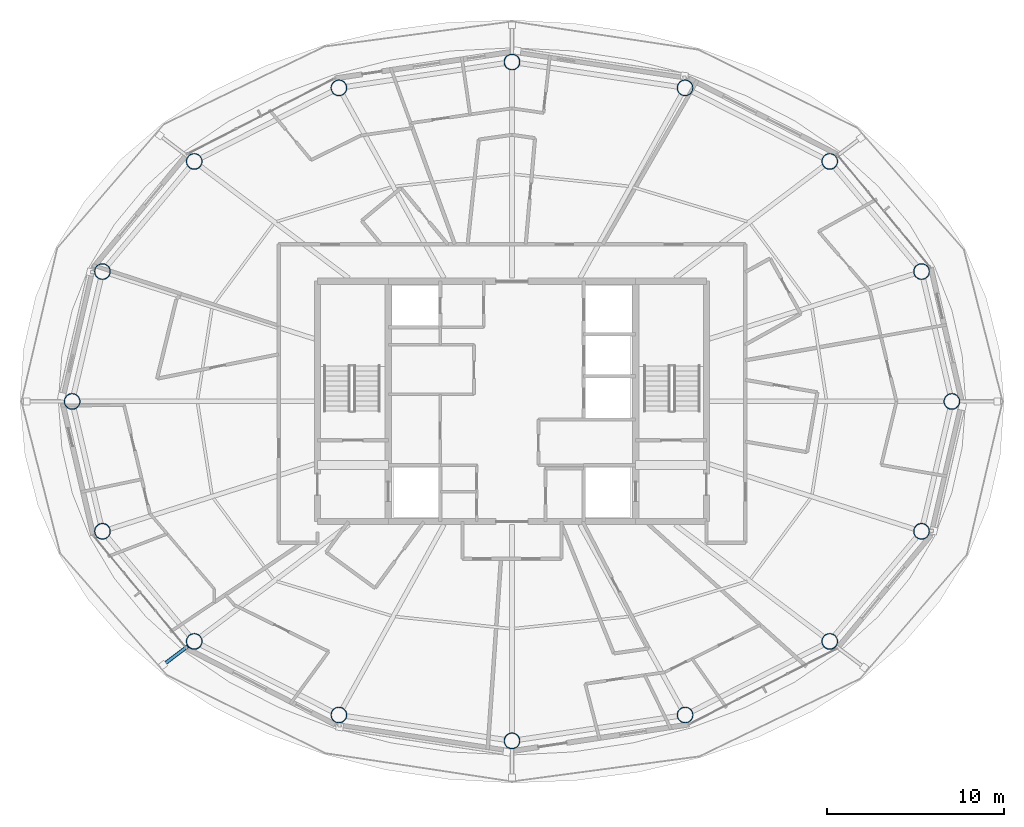
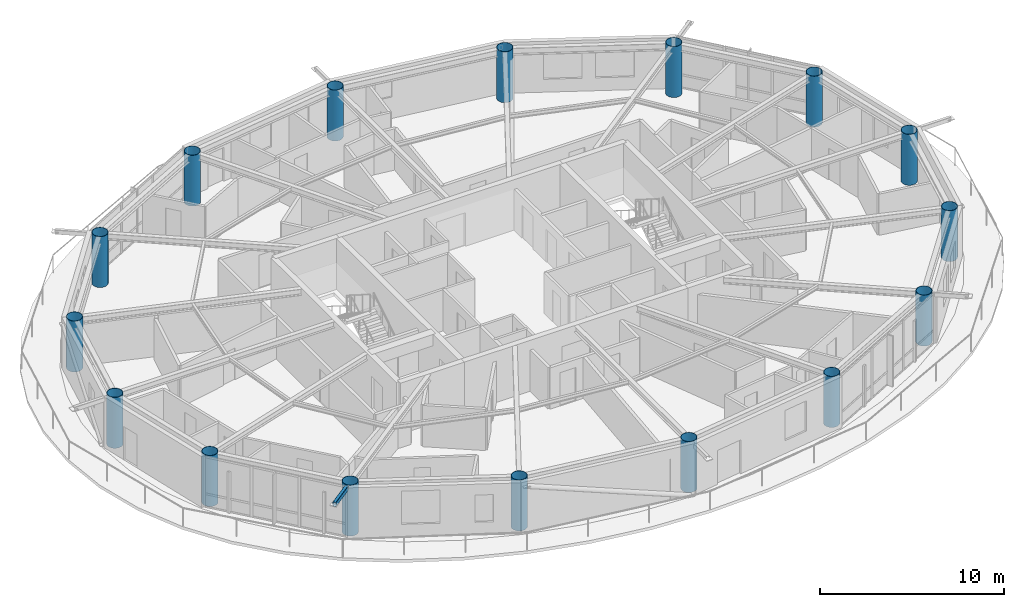
# One storey, part 1 of 22: 16 columns, 1 member.
"""IFC4 building model written with IfcOpenShell, lengths in metres."""

import ifcopenshell
import ifcopenshell.guid

model = None  # the IFC model being written
_history = None  # IfcOwnerHistory: only IFC2X3 demands one
_inside = {}  # id of a spatial element -> (the spatial element, [elements in it])
_under = {}  # id of a project, library or spatial element -> (it, [spatial elements below it])
_declared = {}  # id of a project -> (the project, [libraries it declares])
_typed = {}  # id of a type object -> (the type object, [elements of that type])
_made_of = {}  # id of a material, layer set ... -> (it, [elements and type objects made of it])


def new_model(schema):
    """Start an empty IFC model of exactly this schema.

    Asked for "IFC4X3", IfcOpenShell would pick the latest addendum, in which some entities
    have other attributes; the version numbers below select the first issue.
    IFC2X3 requires an IfcOwnerHistory on every rooted entity: one is made here for all.
    """
    global model, _history
    if schema == "IFC4X3":
        model = ifcopenshell.file(schema_version=(4, 3, 0, 0))
    else:
        model = ifcopenshell.file(schema=schema)
    _inside.clear()
    _under.clear()
    _declared.clear()
    _typed.clear()
    _made_of.clear()
    _history = None
    if model.schema == "IFC2X3":
        org = make("IfcOrganization", Name="unknown")
        user = make(
            "IfcPersonAndOrganization",
            ThePerson=make("IfcPerson", FamilyName="unknown"),
            TheOrganization=org,
        )
        app = make(
            "IfcApplication",
            ApplicationDeveloper=org,
            Version="unknown",
            ApplicationFullName="unknown",
            ApplicationIdentifier="unknown",
        )
        _history = make(
            "IfcOwnerHistory",
            OwningUser=user,
            OwningApplication=app,
            ChangeAction="ADDED",
            CreationDate=0,
        )
    return model


def make(cls, **values):
    """One entity of the class cls with the attributes given. An attribute that is None is left unset."""
    return model.create_entity(
        cls, **{name: value for name, value in values.items() if value is not None}
    )


def rooted(cls, **values):
    """An entity with a GlobalId (a new one), such as an element, a storey or a relation."""
    return make(cls, GlobalId=ifcopenshell.guid.new(), OwnerHistory=_history, **values)


def si_unit(unit_type, name, prefix=None):
    """IfcSIUnit, for example si_unit("LENGTHUNIT", "METRE", prefix="MILLI")."""
    return make("IfcSIUnit", UnitType=unit_type, Prefix=prefix, Name=name)


def assignment(units):
    """IfcUnitAssignment: the units of a project."""
    return None if units is None else make("IfcUnitAssignment", Units=units)


def point(xyz):
    """IfcCartesianPoint."""
    return None if xyz is None else make("IfcCartesianPoint", Coordinates=xyz)


def direction(xyz):
    """IfcDirection."""
    return None if xyz is None else make("IfcDirection", DirectionRatios=xyz)


def frame(location, z_axis=None, x_axis=None):
    """IfcAxis2Placement3D, a coordinate frame: its origin and axes. An axis left out is left unset."""
    return make(
        "IfcAxis2Placement3D",
        Location=point(location),
        Axis=direction(z_axis),
        RefDirection=direction(x_axis),
    )


def frame_2d(location, x_axis=None):
    """IfcAxis2Placement2D, a coordinate frame in the plane: its origin and x axis."""
    return make(
        "IfcAxis2Placement2D", Location=point(location), RefDirection=direction(x_axis)
    )


def origin():
    """The frame at (0, 0, 0) with its axes left unset."""
    return frame((0.0, 0.0, 0.0))


def origin_2d():
    """The frame at (0, 0) in the plane with its x axis left unset."""
    return frame_2d((0.0, 0.0))


def place(relative_to, where):
    """IfcLocalPlacement: puts the frame where relative to a parent placement (None: the world)."""
    return make(
        "IfcLocalPlacement", PlacementRelTo=relative_to, RelativePlacement=where
    )


def context(
    kind, dimensions, precision=None, world=None, true_north=None, identifier=None
):
    """IfcGeometricRepresentationContext, for example the 3D "Model" context."""
    return make(
        "IfcGeometricRepresentationContext",
        ContextIdentifier=identifier,
        ContextType=kind,
        CoordinateSpaceDimension=dimensions,
        Precision=precision,
        WorldCoordinateSystem=world,
        TrueNorth=true_north,
    )


def subcontext(parent, identifier, kind, view, scale=None):
    """IfcGeometricRepresentationSubContext, for example "Body" below "Model"."""
    return make(
        "IfcGeometricRepresentationSubContext",
        ContextIdentifier=identifier,
        ContextType=kind,
        ParentContext=parent,
        TargetScale=scale,
        TargetView=view,
    )


def project(units=None, contexts=None):
    """IfcProject with its units and contexts."""
    return rooted(
        "IfcProject",
        Name="project",
        RepresentationContexts=contexts,
        UnitsInContext=assignment(units),
    )


def spatial(cls, under=None, at=None, **own):
    """A site, building, storey or space (cls), placed at a placement, below another one or the project."""
    s = rooted(cls, ObjectPlacement=at, **own)
    if under is not None:
        _under.setdefault(under.id(), (under, []))[1].append(s)
    return s


def profile(cls, at=None, kind="AREA", **sizes):
    """A parametric profile (cls). Its sizes go by their IFC names, for example OverallWidth=200.0."""
    return make(cls, ProfileType=kind, Position=at, **sizes)


def hollow_rectangle(**sizes):
    """IfcRectangleHollowProfileDef."""
    return profile("IfcRectangleHollowProfileDef", **sizes)


def hollow_circle(**sizes):
    """IfcCircleHollowProfileDef."""
    return profile("IfcCircleHollowProfileDef", **sizes)


def extrude(swept, where, along, depth):
    """IfcExtrudedAreaSolid: the profile swept, set in the frame where, extruded along a direction by depth."""
    return make(
        "IfcExtrudedAreaSolid",
        SweptArea=swept,
        Position=where,
        ExtrudedDirection=direction(along),
        Depth=depth,
    )


def shape(context_of_items, identifier, shape_type, items):
    """IfcShapeRepresentation: the items that make up one representation, for example the "Body"."""
    return make(
        "IfcShapeRepresentation",
        ContextOfItems=context_of_items,
        RepresentationIdentifier=identifier,
        RepresentationType=shape_type,
        Items=items,
    )


def material(Name=None, Category=None):
    """IfcMaterial."""
    return make("IfcMaterial", Name=Name, Category=Category)


def material_profile(
    of_material, cross_section, Name=None, Category=None, Priority=None
):
    """IfcMaterialProfile: a cross section and its material."""
    return make(
        "IfcMaterialProfile",
        Name=Name,
        Material=of_material,
        Profile=cross_section,
        Priority=Priority,
        Category=Category,
    )


def profile_set(profiles, Name=None, composite=None):
    """IfcMaterialProfileSet."""
    return make(
        "IfcMaterialProfileSet",
        Name=Name,
        MaterialProfiles=profiles,
        CompositeProfile=composite,
    )


def made_of(thing, what):
    """Note that an element or type object is made of a material, layer set ...; save() writes the relation."""
    if what is not None:
        _made_of.setdefault(what.id(), (what, []))[1].append(thing)
    return thing


def type_object(cls, material=None, **own):
    """A type object (cls), such as IfcWallType, which elements share."""
    return made_of(rooted(cls, **own), material)


def element(
    cls,
    number,
    at=None,
    inside=None,
    cuts=None,
    type_object=None,
    material=None,
    context=None,
    identifier="Body",
    shape_type=None,
    held_by="IfcProductDefinitionShape",
    body=None,
    shapes=None,
    **own,
):
    """One element of the class cls, such as IfcWall. Its Tag is "e" and its number.

    at: its placement. inside: the storey or other place that contains it. cuts: it is an
    opening in that element (IfcRelVoidsElement). A single representation is given by context,
    identifier, shape_type and body (its items); several are given by shapes. held_by: the class
    of the entity that holds the representations. save() writes the other relations.
    """
    e = rooted(cls, Tag="e%d" % number, ObjectPlacement=at, **own)
    if body is not None:
        shapes = [shape(context, identifier, shape_type, body)]
    if shapes is not None:
        e.Representation = make(held_by, Representations=shapes)
    if inside is not None:
        _inside.setdefault(inside.id(), (inside, []))[1].append(e)
    if cuts is not None:
        rooted(
            "IfcRelVoidsElement", RelatingBuildingElement=cuts, RelatedOpeningElement=e
        )
    if type_object is not None:
        _typed.setdefault(type_object.id(), (type_object, []))[1].append(e)
    return made_of(e, material)


def aggregate(whole, parts):
    """IfcRelAggregates: a whole, such as a stair, and the parts it consists of."""
    return rooted("IfcRelAggregates", RelatingObject=whole, RelatedObjects=parts)


def save(model, path):
    """Write the relations noted so far, then the file.

    IfcRelAggregates (storeys below a building ...), IfcRelContainedInSpatialStructure (elements
    in a storey), IfcRelDefinesByType, IfcRelAssociatesMaterial and IfcRelDeclares: one each for
    every whole, place, type object, material and project.
    """
    for whole, parts in _under.values():
        aggregate(whole, parts)
    for where, things in _inside.values():
        rooted(
            "IfcRelContainedInSpatialStructure",
            RelatedElements=things,
            RelatingStructure=where,
        )
    for kind, things in _typed.values():
        rooted("IfcRelDefinesByType", RelatedObjects=things, RelatingType=kind)
    for what, things in _made_of.values():
        rooted("IfcRelAssociatesMaterial", RelatedObjects=things, RelatingMaterial=what)
    for by, libraries in _declared.values():
        rooted("IfcRelDeclares", RelatingContext=by, RelatedDefinitions=libraries)
    model.write(path)


model = new_model("IFC4")

# Units and contexts
model_context = context("Model", 3, precision=1e-05, world=origin(), true_north=direction((0.0, 1.0)))
body_context = subcontext(model_context, "Body", "Model", "MODEL_VIEW")
ifc_project = project(units=[si_unit("LENGTHUNIT", "METRE"), si_unit("AREAUNIT", "SQUARE_METRE"), si_unit("VOLUMEUNIT", "CUBIC_METRE"), si_unit("PLANEANGLEUNIT", "RADIAN"), si_unit("MASSUNIT", "GRAM", prefix="KILO")], contexts=[model_context])

# Site, building, storey
site_placement = place(None, origin())
site = spatial("IfcSite", under=ifc_project, at=site_placement, CompositionType="ELEMENT")
building_placement = place(site_placement, origin())
building = spatial("IfcBuilding", under=site, at=building_placement, Name="Sarneth Arch Tower", CompositionType="ELEMENT")
storey_placement = place(building_placement, frame((0.0, 0.0, 298.199951171875)))
storey = spatial("IfcBuildingStorey", under=building, at=storey_placement, Name="L77", CompositionType="ELEMENT", Elevation=298.199951171875)

# Columns
ifc_material_1 = material(Name="Steel S355", Category="steel")
ifc_material_profile_1 = material_profile(ifc_material_1, hollow_circle(Radius=0.449951171875, WallThickness=0.02490234375, at=origin_2d()), Name="CHS900x25")
ifc_profile_set_1 = profile_set([ifc_material_profile_1], Name="Steel S355")
column_type = type_object("IfcColumnType", Name="COL-MEGA-900", PredefinedType="COLUMN", material=ifc_profile_set_1)
for number, where, z_axis, x_axis, name in (
    (1, (72.88330078125, 42.0, 0.0), (0.0, 0.0, 1.0), (1.0, 0.0, 0.0), "L77 Perimeter mega-column M01"),
    (2, (71.1689453125, 49.347412109375, 0.0), (0.0, 0.0, 1.0), (1.0, 0.0, 0.0), "L77 Perimeter mega-column M02"),
    (3, (65.975341796875, 55.576416015625, 0.0), (0.0, 0.0, 1.0), (1.0, 0.0, 0.0), "L77 Perimeter mega-column M03"),
    (4, (57.790771484375, 59.738525390625, 0.0), (0.0, 0.0, 1.0), (1.0, 0.0, 0.0), "L77 Perimeter mega-column M04"),
    (5, (48.0, 61.199951171875, 0.0), (0.0, 0.0, 1.0), (1.0, 0.0, 0.0), "L77 Perimeter mega-column M05"),
    (6, (38.209228515625, 59.738525390625, 0.0), (0.0, 0.0, 1.0), (1.0, 0.0, 0.0), "L77 Perimeter mega-column M06"),
    (7, (30.024658203125, 55.576416015625, 0.0), (0.0, 0.0, 1.0), (1.0, 0.0, 0.0), "L77 Perimeter mega-column M07"),
    (8, (24.8310546875, 49.347412109375, 0.0), (0.0, 0.0, 1.0), (1.0, 0.0, 0.0), "L77 Perimeter mega-column M08"),
    (9, (23.11669921875, 42.0, 0.0), (0.0, 0.0, 1.0), (1.0, 0.0, 0.0), "L77 Perimeter mega-column M09"),
    (10, (24.8310546875, 34.652587890625, 0.0), (0.0, 0.0, 1.0), (1.0, 0.0, 0.0), "L77 Perimeter mega-column M10"),
    (11, (30.024658203125, 28.423583984375, 0.0), (0.0, 0.0, 1.0), (1.0, 0.0, 0.0), "L77 Perimeter mega-column M11"),
    (12, (38.209228515625, 24.261474609375, 0.0), (0.0, 0.0, 1.0), (1.0, 0.0, 0.0), "L77 Perimeter mega-column M12"),
    (13, (48.0, 22.800048828125, 0.0), (0.0, 0.0, 1.0), (1.0, 0.0, 0.0), "L77 Perimeter mega-column M13"),
    (14, (57.790771484375, 24.261474609375, 0.0), (0.0, 0.0, 1.0), (1.0, 0.0, 0.0), "L77 Perimeter mega-column M14"),
    (15, (65.975341796875, 28.423583984375, 0.0), (0.0, 0.0, 1.0), (1.0, 0.0, 0.0), "L77 Perimeter mega-column M15"),
    (16, (71.1689453125, 34.652587890625, 0.0), (0.0, 0.0, 1.0), (1.0, 0.0, 0.0), "L77 Perimeter mega-column M16"),
):
    element("IfcColumn", number, at=place(storey_placement, frame(where, z_axis=z_axis, x_axis=x_axis)), inside=storey, type_object=column_type, Name=name, PredefinedType="COLUMN", context=body_context, shape_type="SweptSolid", body=[
        extrude(hollow_circle(Radius=0.449951171875, WallThickness=0.02490234375, at=origin_2d()), origin(), (0.0, 0.0, 1.0), 3.3701171875),
    ])

# Member
ifc_material_2 = material(Name="Steel S355", Category="steel")
ifc_material_profile_2 = material_profile(ifc_material_2, hollow_rectangle(XDim=0.199951171875, YDim=0.300048828125, WallThickness=0.012451171875, InnerFilletRadius=0.018798828125, OuterFilletRadius=0.03125, at=origin_2d()), Name="RHS300x200x12.5")
ifc_profile_set_2 = profile_set([ifc_material_profile_2], Name="Steel S355")
member_type = type_object("IfcMemberType", Name="MEM-CANT-STRUT", PredefinedType="STRUT", material=ifc_profile_set_2)
member_placement = place(storey_placement, frame((29.665771484375, 28.15234375, 3.2099609375), z_axis=(-0.79800859252, -0.60264607048, 0.0), x_axis=(0.60264607048, -0.79800859252, 0.0)))
element("IfcMember", 17, at=member_placement, inside=storey, type_object=member_type, Name="L77 Balcony cantilever bracket 11", PredefinedType="STRUT", context=body_context, shape_type="SweptSolid", body=[
    extrude(hollow_rectangle(XDim=0.199951171875, YDim=0.300048828125, WallThickness=0.012451171875, InnerFilletRadius=0.018798828125, OuterFilletRadius=0.03125, at=origin_2d()), origin(), (0.0, 0.0, 1.0), 1.754638671875),
])

save(model, "model.ifc")
